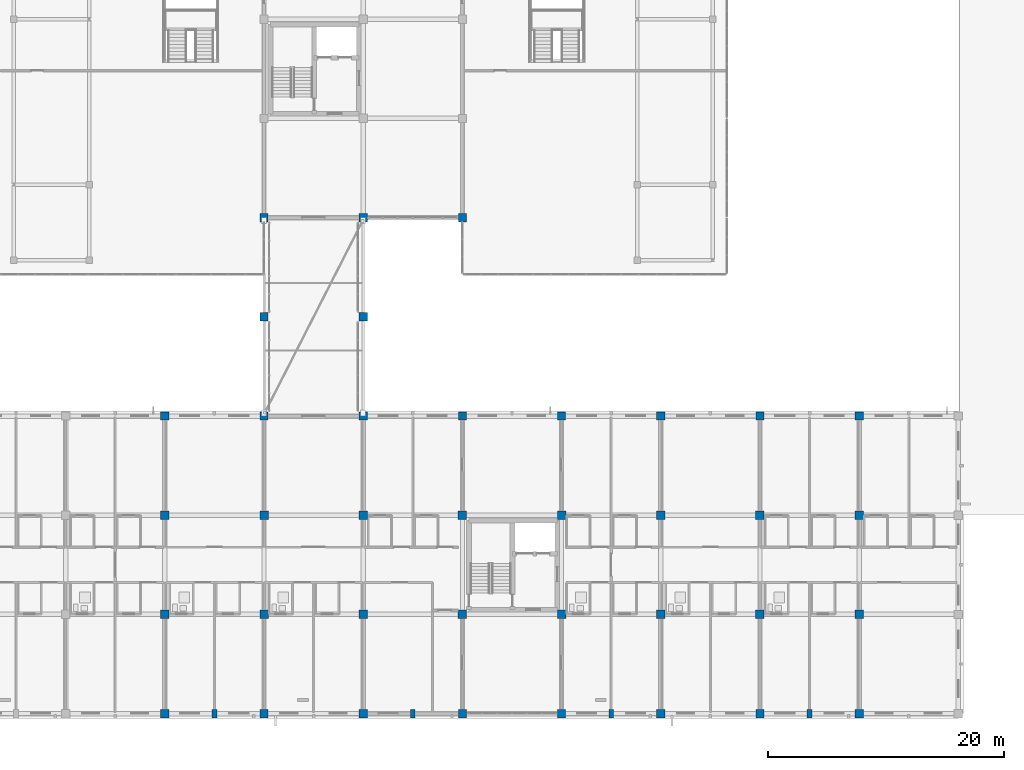
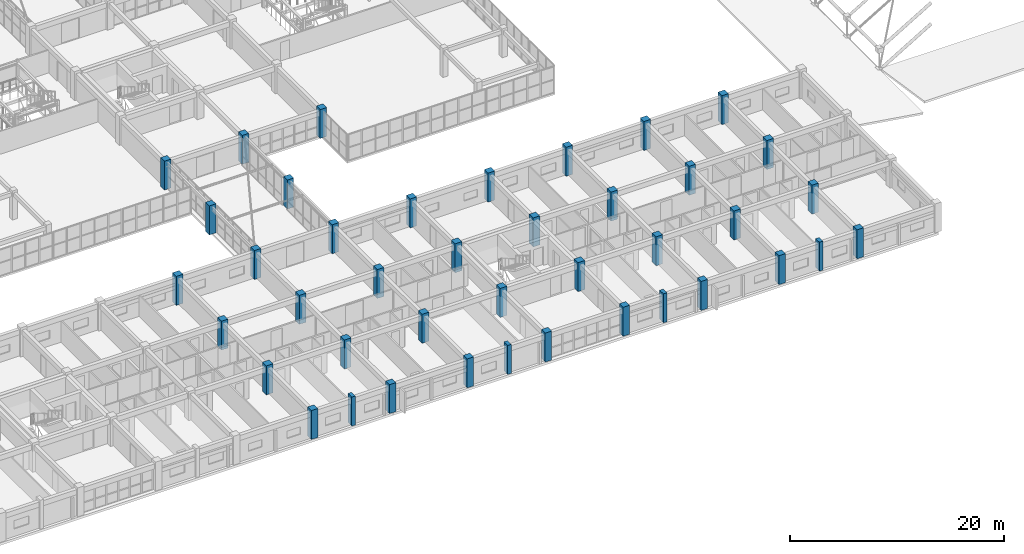
# One storey, part 3 of 148: 41 columns.
"""IFC4 building model written with IfcOpenShell, lengths in metres."""

from ifc_helpers import new_model, si_unit, direction, frame, origin, origin_2d, place, context, subcontext, project, spatial, rectangle, extrude, material, material_profile, profile_set, type_object, element, save


model = new_model("IFC4")

# Units and contexts
model_context = context("Model", 3, precision=1e-05, world=origin(), true_north=direction((0.0, 1.0)))
body_context = subcontext(model_context, "Body", "Model", "MODEL_VIEW")
ifc_project = project(units=[si_unit("LENGTHUNIT", "METRE"), si_unit("AREAUNIT", "SQUARE_METRE"), si_unit("VOLUMEUNIT", "CUBIC_METRE"), si_unit("PLANEANGLEUNIT", "RADIAN"), si_unit("MASSUNIT", "GRAM", prefix="KILO")], contexts=[model_context])

# Site, building, storey
site_placement = place(None, origin())
site = spatial("IfcSite", under=ifc_project, at=site_placement, CompositionType="ELEMENT")
building_placement = place(site_placement, origin())
building = spatial("IfcBuilding", under=site, at=building_placement, Name="Trelvath General Hospital", CompositionType="ELEMENT")
storey_placement = place(building_placement, frame((0.0, 0.0, 12.89990234375)))
storey = spatial("IfcBuildingStorey", under=building, at=storey_placement, Name="L03", CompositionType="ELEMENT", Elevation=12.89990234375)

# Columns
ifc_material_1 = material(Name="Concrete C40/50", Category="concrete")
ifc_material_profile_1 = material_profile(ifc_material_1, rectangle(XDim=0.699951171875, YDim=0.699951171875, at=origin_2d()), Name="RC700x700")
ifc_profile_set_1 = profile_set([ifc_material_profile_1], Name="Concrete C40/50")
column_type_1 = type_object("IfcColumnType", Name="Column RC700", PredefinedType="COLUMN", material=ifc_profile_set_1)
for number, where, z_axis, x_axis, name in (
    (1, (67.199951171875, 0.0, 0.0), (0.0, 0.0, 1.0), (1.0, 0.0, 0.0), "Column C-9A L03"),
    (2, (67.199951171875, 25.199951171875, 0.0), (0.0, 0.0, 1.0), (1.0, 0.0, 0.0), "Column C-9D L03"),
    (3, (75.60009765625, 0.0, 0.0), (0.0, 0.0, 1.0), (1.0, 0.0, 0.0), "Column C-10A L03"),
    (4, (75.60009765625, 25.199951171875, 0.0), (0.0, 0.0, 1.0), (1.0, 0.0, 0.0), "Column C-10D L03"),
    (5, (75.60009765625, 33.60009765625, 0.0), (0.0, 0.0, 1.0), (1.0, 0.0, 0.0), "Column C-10E L03"),
    (6, (75.60009765625, 42.0, 0.0), (0.0, 0.0, 1.0), (1.0, 0.0, 0.0), "Column C-10F L03"),
    (7, (84.0, 0.0, 0.0), (0.0, 0.0, 1.0), (1.0, 0.0, 0.0), "Column C-11A L03"),
    (8, (84.0, 25.199951171875, 0.0), (0.0, 0.0, 1.0), (1.0, 0.0, 0.0), "Column C-11D L03"),
    (9, (84.0, 33.60009765625, 0.0), (0.0, 0.0, 1.0), (1.0, 0.0, 0.0), "Column C-11E L03"),
    (10, (84.0, 42.0, 0.0), (0.0, 0.0, 1.0), (1.0, 0.0, 0.0), "Column C-11F L03"),
    (11, (92.39990234375, 0.0, 0.0), (0.0, 0.0, 1.0), (1.0, 0.0, 0.0), "Column C-12A L03"),
    (12, (92.39990234375, 25.199951171875, 0.0), (0.0, 0.0, 1.0), (1.0, 0.0, 0.0), "Column C-12D L03"),
    (13, (92.39990234375, 42.0, 0.0), (0.0, 0.0, 1.0), (1.0, 0.0, 0.0), "Column C-12F L03"),
    (14, (100.800048828125, 0.0, 0.0), (0.0, 0.0, 1.0), (1.0, 0.0, 0.0), "Column C-13A L03"),
    (15, (100.800048828125, 25.199951171875, 0.0), (0.0, 0.0, 1.0), (1.0, 0.0, 0.0), "Column C-13D L03"),
    (16, (109.199951171875, 0.0, 0.0), (0.0, 0.0, 1.0), (1.0, 0.0, 0.0), "Column C-14A L03"),
    (17, (109.199951171875, 25.199951171875, 0.0), (0.0, 0.0, 1.0), (1.0, 0.0, 0.0), "Column C-14D L03"),
    (18, (117.60009765625, 0.0, 0.0), (0.0, 0.0, 1.0), (1.0, 0.0, 0.0), "Column C-15A L03"),
    (19, (117.60009765625, 25.199951171875, 0.0), (0.0, 0.0, 1.0), (1.0, 0.0, 0.0), "Column C-15D L03"),
    (20, (126.0, 0.0, 0.0), (0.0, 0.0, 1.0), (1.0, 0.0, 0.0), "Column C-16A L03"),
    (21, (126.0, 25.199951171875, 0.0), (0.0, 0.0, 1.0), (1.0, 0.0, 0.0), "Column C-16D L03"),
):
    element("IfcColumn", number, at=place(storey_placement, frame(where, z_axis=z_axis, x_axis=x_axis)), inside=storey, type_object=column_type_1, Name=name, PredefinedType="COLUMN", context=body_context, shape_type="SweptSolid", body=[
        extrude(rectangle(XDim=0.699951171875, YDim=0.699951171875, at=origin_2d()), origin(), (0.0, 0.0, 1.0), 3.300048828125),
    ])
ifc_material_2 = material(Name="Concrete C40/50", Category="concrete")
ifc_material_profile_2 = material_profile(ifc_material_2, rectangle(XDim=0.719970703125, YDim=0.719970703125, at=origin_2d()), Name="RC720x720")
ifc_profile_set_2 = profile_set([ifc_material_profile_2], Name="Concrete C40/50")
column_type_2 = type_object("IfcColumnType", Name="Column RC720", PredefinedType="COLUMN", material=ifc_profile_set_2)
for number, where, z_axis, x_axis, name in (
    (22, (67.199951171875, 8.39990234375, 0.0), (0.0, 0.0, 1.0), (1.0, 0.0, 0.0), "Column C-9B L03"),
    (23, (67.199951171875, 16.800048828125, 0.0), (0.0, 0.0, 1.0), (1.0, 0.0, 0.0), "Column C-9C L03"),
    (24, (75.60009765625, 8.39990234375, 0.0), (0.0, 0.0, 1.0), (1.0, 0.0, 0.0), "Column C-10B L03"),
    (25, (75.60009765625, 16.800048828125, 0.0), (0.0, 0.0, 1.0), (1.0, 0.0, 0.0), "Column C-10C L03"),
    (26, (84.0, 8.39990234375, 0.0), (0.0, 0.0, 1.0), (1.0, 0.0, 0.0), "Column C-11B L03"),
    (27, (84.0, 16.800048828125, 0.0), (0.0, 0.0, 1.0), (1.0, 0.0, 0.0), "Column C-11C L03"),
    (28, (92.39990234375, 8.39990234375, 0.0), (0.0, 0.0, 1.0), (1.0, 0.0, 0.0), "Column C-12B L03"),
    (29, (92.39990234375, 16.800048828125, 0.0), (0.0, 0.0, 1.0), (1.0, 0.0, 0.0), "Column C-12C L03"),
    (30, (100.800048828125, 8.39990234375, 0.0), (0.0, 0.0, 1.0), (1.0, 0.0, 0.0), "Column C-13B L03"),
    (31, (100.800048828125, 16.800048828125, 0.0), (0.0, 0.0, 1.0), (1.0, 0.0, 0.0), "Column C-13C L03"),
    (32, (109.199951171875, 8.39990234375, 0.0), (0.0, 0.0, 1.0), (1.0, 0.0, 0.0), "Column C-14B L03"),
    (33, (109.199951171875, 16.800048828125, 0.0), (0.0, 0.0, 1.0), (1.0, 0.0, 0.0), "Column C-14C L03"),
    (34, (117.60009765625, 8.39990234375, 0.0), (0.0, 0.0, 1.0), (1.0, 0.0, 0.0), "Column C-15B L03"),
    (35, (117.60009765625, 16.800048828125, 0.0), (0.0, 0.0, 1.0), (1.0, 0.0, 0.0), "Column C-15C L03"),
    (36, (126.0, 8.39990234375, 0.0), (0.0, 0.0, 1.0), (1.0, 0.0, 0.0), "Column C-16B L03"),
    (37, (126.0, 16.800048828125, 0.0), (0.0, 0.0, 1.0), (1.0, 0.0, 0.0), "Column C-16C L03"),
):
    element("IfcColumn", number, at=place(storey_placement, frame(where, z_axis=z_axis, x_axis=x_axis)), inside=storey, type_object=column_type_2, Name=name, PredefinedType="COLUMN", context=body_context, shape_type="SweptSolid", body=[
        extrude(rectangle(XDim=0.719970703125, YDim=0.719970703125, at=origin_2d()), origin(), (0.0, 0.0, 1.0), 3.300048828125),
    ])
ifc_material_3 = material(Name="Concrete C40/50", Category="concrete")
ifc_material_profile_3 = material_profile(ifc_material_3, rectangle(XDim=0.39990234375, YDim=0.699951171875, at=origin_2d()), Name="RC400x700")
ifc_profile_set_3 = profile_set([ifc_material_profile_3], Name="Concrete C40/50")
column_type_3 = type_object("IfcColumnType", Name="Pilaster RC400x700", PredefinedType="PILASTER", material=ifc_profile_set_3)
for number, where, z_axis, x_axis, name in (
    (38, (71.39990234375, 0.0, 0.0), (0.0, 0.0, 1.0), (1.0, 0.0, 0.0), "Facade Pilaster PL-S08 L03"),
    (39, (88.199951171875, 0.0, 0.0), (0.0, 0.0, 1.0), (1.0, 0.0, 0.0), "Facade Pilaster PL-S10 L03"),
    (40, (105.0, 0.0, 0.0), (0.0, 0.0, 1.0), (1.0, 0.0, 0.0), "Facade Pilaster PL-S12 L03"),
    (41, (121.800048828125, 0.0, 0.0), (0.0, 0.0, 1.0), (1.0, 0.0, 0.0), "Facade Pilaster PL-S14 L03"),
):
    element("IfcColumn", number, at=place(storey_placement, frame(where, z_axis=z_axis, x_axis=x_axis)), inside=storey, type_object=column_type_3, Name=name, PredefinedType="PILASTER", context=body_context, shape_type="SweptSolid", body=[
        extrude(rectangle(XDim=0.39990234375, YDim=0.699951171875, at=origin_2d()), origin(), (0.0, 0.0, 1.0), 3.300048828125),
    ])

save(model, "model.ifc")
